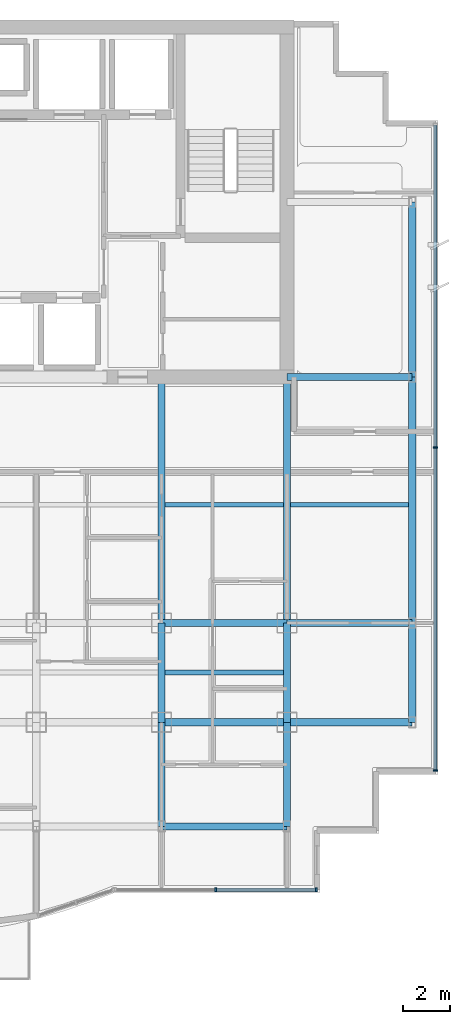
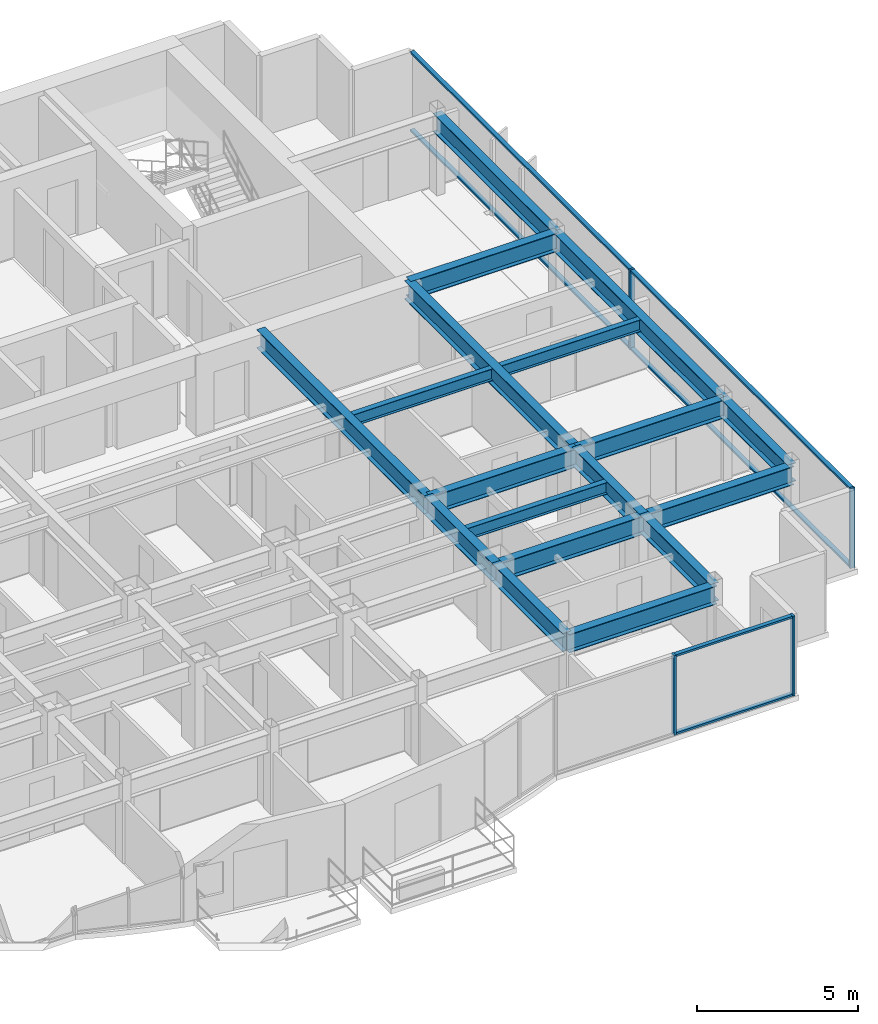
# One storey, part 4 of 13: 18 beams, 10 members, 2 elements without a shape of their own.
"""IFC4 building model written with IfcOpenShell, lengths in metres."""

from ifc_helpers import new_model, si_unit, direction, frame, origin, origin_2d, place, context, subcontext, project, spatial, rectangle, i_section, extrude, source, transform, mapped, material, layer, layer_set, material_profile, profile_set, type_object, element, aggregate, save


model = new_model("IFC4")

# Units and contexts
model_context = context("Model", 3, precision=1e-05, world=origin(), true_north=direction((0.0, 1.0)))
body_context = subcontext(model_context, "Body", "Model", "MODEL_VIEW")
ifc_project = project(units=[si_unit("LENGTHUNIT", "METRE"), si_unit("AREAUNIT", "SQUARE_METRE"), si_unit("VOLUMEUNIT", "CUBIC_METRE"), si_unit("PLANEANGLEUNIT", "RADIAN"), si_unit("MASSUNIT", "GRAM", prefix="KILO")], contexts=[model_context])

# Site, building, storey
site_placement = place(None, origin())
site = spatial("IfcSite", under=ifc_project, at=site_placement, CompositionType="ELEMENT")
building_placement = place(site_placement, origin())
building = spatial("IfcBuilding", under=site, at=building_placement, Name="Qianlan Lanfeng Residences", CompositionType="ELEMENT")
storey_placement = place(building_placement, frame((0.0, 0.0, 182.10009765625)))
storey = spatial("IfcBuildingStorey", under=building, at=storey_placement, Name="L50", CompositionType="ELEMENT", Elevation=182.10009765625)

# Beams
ifc_material_1 = material(Name="Steel SN490B", Category="steel")
ifc_material_profile_1 = material_profile(ifc_material_1, i_section(OverallWidth=0.300048828125, OverallDepth=0.699951171875, WebThickness=0.012939453125, FlangeThickness=0.02392578125, at=origin_2d()), Name="H 700x300x13x24")
ifc_profile_set_1 = profile_set([ifc_material_profile_1], Name="Steel SN490B")
beam_type_1 = type_object("IfcBeamType", Name="G-750", PredefinedType="BEAM", material=ifc_profile_set_1)
beam_1_placement = place(storey_placement, frame((37.10009765625, 10.60009765625, 2.679931640625), z_axis=(1.0, 0.0, 0.0), x_axis=(0.0, 1.0, 0.0)))
element("IfcBeam", 1, at=beam_1_placement, inside=storey, type_object=beam_type_1, Name="Structural beam G-750", PredefinedType="BEAM", context=body_context, shape_type="SweptSolid", body=[
    extrude(i_section(OverallWidth=0.300048828125, OverallDepth=0.699951171875, WebThickness=0.012939453125, FlangeThickness=0.02392578125, at=origin_2d()), origin(), (0.0, 0.0, 1.0), 5.2998046875),
])
beam_2_placement = place(storey_placement, frame((42.39990234375, 10.60009765625, 2.679931640625), z_axis=(1.0, 0.0, 0.0), x_axis=(0.0, 1.0, 0.0)))
element("IfcBeam", 2, at=beam_2_placement, inside=storey, type_object=beam_type_1, Name="Structural beam G-750", PredefinedType="BEAM", context=body_context, shape_type="SweptSolid", body=[
    extrude(i_section(OverallWidth=0.300048828125, OverallDepth=0.699951171875, WebThickness=0.012939453125, FlangeThickness=0.02392578125, at=origin_2d()), origin(), (0.0, 0.0, 1.0), 5.300048828125),
])
beam_3_placement = place(storey_placement, frame((37.10009765625, 14.800048828125, 2.679931640625), z_axis=(1.0, 0.0, 0.0), x_axis=(0.0, 1.0, 0.0)))
element("IfcBeam", 3, at=beam_3_placement, inside=storey, type_object=beam_type_1, Name="Structural beam G-750", PredefinedType="BEAM", context=body_context, shape_type="SweptSolid", body=[
    extrude(i_section(OverallWidth=0.300048828125, OverallDepth=0.699951171875, WebThickness=0.012939453125, FlangeThickness=0.02392578125, at=origin_2d()), origin(), (0.0, 0.0, 1.0), 5.2998046875),
])
for number, where, z_axis, x_axis, name in (
    (4, (42.39990234375, 14.800048828125, 2.679931640625), (1.0, 0.0, 0.0), (0.0, 1.0, 0.0), "Structural beam G-750"),
    (5, (42.39990234375, 25.199951171875, 2.679931640625), (1.0, 0.0, 0.0), (0.0, 1.0, 0.0), "Structural beam G-750"),
):
    element("IfcBeam", number, at=place(storey_placement, frame(where, z_axis=z_axis, x_axis=x_axis)), inside=storey, type_object=beam_type_1, Name=name, PredefinedType="BEAM", context=body_context, shape_type="SweptSolid", body=[
        extrude(i_section(OverallWidth=0.300048828125, OverallDepth=0.699951171875, WebThickness=0.012939453125, FlangeThickness=0.02392578125, at=origin_2d()), origin(), (0.0, 0.0, 1.0), 5.300048828125),
    ])
beam_4_placement = place(storey_placement, frame((37.10009765625, 6.199951171875, 2.679931640625), z_axis=(0.0, 1.0, 0.0), x_axis=(-1.0, 0.0, 0.0)))
element("IfcBeam", 6, at=beam_4_placement, inside=storey, type_object=beam_type_1, Name="Structural beam G-750", PredefinedType="BEAM", context=body_context, shape_type="SweptSolid", body=[
    extrude(i_section(OverallWidth=0.300048828125, OverallDepth=0.699951171875, WebThickness=0.012939453125, FlangeThickness=0.02392578125, at=origin_2d()), origin(), (0.0, 0.0, 1.0), 4.400146484375),
])
beam_5_placement = place(storey_placement, frame((37.10009765625, 10.60009765625, 2.679931640625), z_axis=(0.0, 1.0, 0.0), x_axis=(-1.0, 0.0, 0.0)))
element("IfcBeam", 7, at=beam_5_placement, inside=storey, type_object=beam_type_1, Name="Structural beam G-750", PredefinedType="BEAM", context=body_context, shape_type="SweptSolid", body=[
    extrude(i_section(OverallWidth=0.300048828125, OverallDepth=0.699951171875, WebThickness=0.012939453125, FlangeThickness=0.02392578125, at=origin_2d()), origin(), (0.0, 0.0, 1.0), 4.199951171875),
])
beam_6_placement = place(storey_placement, frame((37.10009765625, 14.800048828125, 2.679931640625), z_axis=(0.0, 1.0, 0.0), x_axis=(-1.0, 0.0, 0.0)))
element("IfcBeam", 8, at=beam_6_placement, inside=storey, type_object=beam_type_1, Name="Structural beam G-750", PredefinedType="BEAM", context=body_context, shape_type="SweptSolid", body=[
    extrude(i_section(OverallWidth=0.300048828125, OverallDepth=0.699951171875, WebThickness=0.012939453125, FlangeThickness=0.02392578125, at=origin_2d()), origin(), (0.0, 0.0, 1.0), 10.39990234375),
])
beam_7_placement = place(storey_placement, frame((42.39990234375, 6.199951171875, 2.679931640625), z_axis=(0.0, 1.0, 0.0), x_axis=(-1.0, 0.0, 0.0)))
element("IfcBeam", 9, at=beam_7_placement, inside=storey, type_object=beam_type_1, Name="Structural beam G-750", PredefinedType="BEAM", context=body_context, shape_type="SweptSolid", body=[
    extrude(i_section(OverallWidth=0.300048828125, OverallDepth=0.699951171875, WebThickness=0.012939453125, FlangeThickness=0.02392578125, at=origin_2d()), origin(), (0.0, 0.0, 1.0), 4.400146484375),
])
beam_8_placement = place(storey_placement, frame((42.39990234375, 10.60009765625, 2.679931640625), z_axis=(0.0, 1.0, 0.0), x_axis=(-1.0, 0.0, 0.0)))
element("IfcBeam", 10, at=beam_8_placement, inside=storey, type_object=beam_type_1, Name="Structural beam G-750", PredefinedType="BEAM", context=body_context, shape_type="SweptSolid", body=[
    extrude(i_section(OverallWidth=0.300048828125, OverallDepth=0.699951171875, WebThickness=0.012939453125, FlangeThickness=0.02392578125, at=origin_2d()), origin(), (0.0, 0.0, 1.0), 4.199951171875),
])
beam_9_placement = place(storey_placement, frame((42.39990234375, 14.800048828125, 2.679931640625), z_axis=(0.0, 1.0, 0.0), x_axis=(-1.0, 0.0, 0.0)))
element("IfcBeam", 11, at=beam_9_placement, inside=storey, type_object=beam_type_1, Name="Structural beam G-750", PredefinedType="BEAM", context=body_context, shape_type="SweptSolid", body=[
    extrude(i_section(OverallWidth=0.300048828125, OverallDepth=0.699951171875, WebThickness=0.012939453125, FlangeThickness=0.02392578125, at=origin_2d()), origin(), (0.0, 0.0, 1.0), 10.39990234375),
])
ifc_material_profile_2 = material_profile(ifc_material_1, i_section(OverallWidth=0.199951171875, OverallDepth=0.449951171875, WebThickness=0.009033203125, FlangeThickness=0.013916015625, at=origin_2d()), Name="H 450x200x9x14")
ifc_profile_set_2 = profile_set([ifc_material_profile_2], Name="Steel SN490B")
beam_type_2 = type_object("IfcBeamType", Name="J-450", PredefinedType="JOIST", material=ifc_profile_set_2)
for number, where, z_axis, x_axis, name in (
    (12, (37.25, 12.699951171875, 2.804931640625), (1.0, 0.0, 0.0), (0.0, 1.0, 0.0), "Structural beam J-450"),
    (13, (37.25, 19.800048828125, 2.804931640625), (1.0, 0.0, 0.0), (0.0, 1.0, 0.0), "Structural beam J-450"),
    (14, (42.550048828125, 19.800048828125, 2.804931640625), (1.0, 0.0, 0.0), (0.0, 1.0, 0.0), "Structural beam J-450"),
):
    element("IfcBeam", number, at=place(storey_placement, frame(where, z_axis=z_axis, x_axis=x_axis)), inside=storey, type_object=beam_type_2, Name=name, PredefinedType="JOIST", context=body_context, shape_type="SweptSolid", body=[
        extrude(i_section(OverallWidth=0.199951171875, OverallDepth=0.449951171875, WebThickness=0.009033203125, FlangeThickness=0.013916015625, at=origin_2d()), origin(), (0.0, 0.0, 1.0), 5.0),
    ])
ifc_material_profile_3 = material_profile(ifc_material_1, i_section(OverallWidth=0.300048828125, OverallDepth=0.699951171875, WebThickness=0.012939453125, FlangeThickness=0.02392578125, at=origin_2d()), Name="H 700x300x13x24")
ifc_profile_set_3 = profile_set([ifc_material_profile_3], Name="Steel SN490B")
beam_type_3 = type_object("IfcBeamType", Name="SG-750", PredefinedType="SPANDREL", material=ifc_profile_set_3)
beam_10_placement = place(storey_placement, frame((37.10009765625, 6.199951171875, 2.679931640625), z_axis=(1.0, 0.0, 0.0), x_axis=(0.0, 1.0, 0.0)))
element("IfcBeam", 15, at=beam_10_placement, inside=storey, type_object=beam_type_3, Name="Structural beam SG-750", PredefinedType="SPANDREL", context=body_context, shape_type="SweptSolid", body=[
    extrude(i_section(OverallWidth=0.300048828125, OverallDepth=0.699951171875, WebThickness=0.012939453125, FlangeThickness=0.02392578125, at=origin_2d()), origin(), (0.0, 0.0, 1.0), 5.2998046875),
])
beam_11_placement = place(storey_placement, frame((47.699951171875, 10.60009765625, 2.679931640625), z_axis=(0.0, 1.0, 0.0), x_axis=(-1.0, 0.0, 0.0)))
element("IfcBeam", 16, at=beam_11_placement, inside=storey, type_object=beam_type_3, Name="Structural beam SG-750", PredefinedType="SPANDREL", context=body_context, shape_type="SweptSolid", body=[
    extrude(i_section(OverallWidth=0.300048828125, OverallDepth=0.699951171875, WebThickness=0.012939453125, FlangeThickness=0.02392578125, at=origin_2d()), origin(), (0.0, 0.0, 1.0), 4.199951171875),
])
beam_12_placement = place(storey_placement, frame((47.699951171875, 14.800048828125, 2.679931640625), z_axis=(0.0, 1.0, 0.0), x_axis=(-1.0, 0.0, 0.0)))
element("IfcBeam", 17, at=beam_12_placement, inside=storey, type_object=beam_type_3, Name="Structural beam SG-750", PredefinedType="SPANDREL", context=body_context, shape_type="SweptSolid", body=[
    extrude(i_section(OverallWidth=0.300048828125, OverallDepth=0.699951171875, WebThickness=0.012939453125, FlangeThickness=0.02392578125, at=origin_2d()), origin(), (0.0, 0.0, 1.0), 10.39990234375),
])
beam_13_placement = place(storey_placement, frame((47.699951171875, 25.199951171875, 2.679931640625), z_axis=(0.0, 1.0, 0.0), x_axis=(-1.0, 0.0, 0.0)))
element("IfcBeam", 18, at=beam_13_placement, inside=storey, type_object=beam_type_3, Name="Structural beam SG-750", PredefinedType="SPANDREL", context=body_context, shape_type="SweptSolid", body=[
    extrude(i_section(OverallWidth=0.300048828125, OverallDepth=0.699951171875, WebThickness=0.012939453125, FlangeThickness=0.02392578125, at=origin_2d()), origin(), (0.0, 0.0, 1.0), 7.400146484375),
])

# Curtain wall, members
ifc_material_2 = material(Name="Anodised Bronze Aluminium 6063-T6", Category="aluminium")
ifc_layer = layer(ifc_material_2, 0.219970703125)
ifc_layer_set = layer_set([ifc_layer], Name="Anodised Bronze Aluminium 6063-T6")
curtain_wall_type = type_object("IfcCurtainWallType", Name="CW-04", PredefinedType="NOTDEFINED", material=ifc_layer_set)
curtain_wall_1_placement = place(storey_placement, origin())
curtain_wall_1 = element("IfcCurtainWall", 19, at=curtain_wall_1_placement, inside=storey, type_object=curtain_wall_type, Name="L50 Unitised Curtain Wall CWR-L50-04 (CW-04)", PredefinedType="NOTDEFINED")
ifc_material_profile_4 = material_profile(ifc_material_2, rectangle(XDim=0.074951171875, YDim=0.14990234375, at=origin_2d()), Name="ALU TRANSOM 75x150")
ifc_profile_set_4 = profile_set([ifc_material_profile_4], Name="Anodised Bronze Aluminium 6063-T6")
member_type_1 = type_object("IfcMemberType", Name="CWT-150", PredefinedType="USERDEFINED", material=ifc_profile_set_4)
shared_shape_1 = source(origin(), body_context, "Body", "SweptSolid", [
    extrude(rectangle(XDim=0.074951171875, YDim=0.14990234375, at=origin_2d()), origin(), (0.0, 0.0, 1.0), 4.178955078125),
])
member_1_placement = place(storey_placement, frame((39.426025390625, 3.52001953125, 0.037353515625), z_axis=(1.0, 0.0, 0.0), x_axis=(0.0, 0.0, 1.0)))
member_1 = element("IfcMember", 20, at=member_1_placement, type_object=member_type_1, Name="CWR-L50-04 Transom 2-BOT", ObjectType="TRANSOM", PredefinedType="USERDEFINED", context=body_context, shape_type="MappedRepresentation", body=[
    mapped(shared_shape_1, transform((0.0, 0.0, 0.0), scale=1.0)),
])
member_2_placement = place(storey_placement, frame((39.426025390625, 3.52001953125, 2.992431640625), z_axis=(1.0, 0.0, 0.0), x_axis=(0.0, 0.0, 1.0)))
member_2 = element("IfcMember", 21, at=member_2_placement, type_object=member_type_1, Name="CWR-L50-04 Transom 2-TOP", ObjectType="TRANSOM", PredefinedType="USERDEFINED", context=body_context, shape_type="MappedRepresentation", body=[
    mapped(shared_shape_1, transform((0.0, 0.0, 0.0), scale=1.0)),
])

curtain_wall_2_placement = place(storey_placement, origin())
curtain_wall_2 = element("IfcCurtainWall", 22, at=curtain_wall_2_placement, inside=storey, type_object=curtain_wall_type, Name="L50 Unitised Curtain Wall CWR-L50-05 (CW-04)", PredefinedType="NOTDEFINED")
shared_shape_2 = source(origin(), body_context, "Body", "SweptSolid", [
    extrude(rectangle(XDim=0.074951171875, YDim=0.14990234375, at=origin_2d()), origin(), (0.0, 0.0, 1.0), 13.592529296875),
])
member_3_placement = place(storey_placement, frame((48.679931640625, 8.594970703125, 0.037353515625), z_axis=(0.0, 1.0, 0.0), x_axis=(0.0, 0.0, 1.0)))
member_3 = element("IfcMember", 23, at=member_3_placement, type_object=member_type_1, Name="CWR-L50-05 Transom 1-BOT", ObjectType="TRANSOM", PredefinedType="USERDEFINED", context=body_context, shape_type="MappedRepresentation", body=[
    mapped(shared_shape_2, transform((0.0, 0.0, 0.0), scale=1.0)),
])
member_4_placement = place(storey_placement, frame((48.679931640625, 8.594970703125, 2.992431640625), z_axis=(0.0, 1.0, 0.0), x_axis=(0.0, 0.0, 1.0)))
member_4 = element("IfcMember", 24, at=member_4_placement, type_object=member_type_1, Name="CWR-L50-05 Transom 1-TOP", ObjectType="TRANSOM", PredefinedType="USERDEFINED", context=body_context, shape_type="MappedRepresentation", body=[
    mapped(shared_shape_2, transform((0.0, 0.0, 0.0), scale=1.0)),
])
member_5_placement = place(storey_placement, frame((48.679931640625, 22.262451171875, 0.037353515625), z_axis=(0.0, 1.0, 0.0), x_axis=(0.0, 0.0, 1.0)))
member_5 = element("IfcMember", 25, at=member_5_placement, type_object=member_type_1, Name="CWR-L50-05 Transom 2-BOT", ObjectType="TRANSOM", PredefinedType="USERDEFINED", context=body_context, shape_type="MappedRepresentation", body=[
    mapped(shared_shape_2, transform((0.0, 0.0, 0.0), scale=1.0)),
])
member_6_placement = place(storey_placement, frame((48.679931640625, 22.262451171875, 2.992431640625), z_axis=(0.0, 1.0, 0.0), x_axis=(0.0, 0.0, 1.0)))
member_6 = element("IfcMember", 26, at=member_6_placement, type_object=member_type_1, Name="CWR-L50-05 Transom 2-TOP", ObjectType="TRANSOM", PredefinedType="USERDEFINED", context=body_context, shape_type="MappedRepresentation", body=[
    mapped(shared_shape_2, transform((0.0, 0.0, 0.0), scale=1.0)),
])

# Member
ifc_material_profile_5 = material_profile(ifc_material_2, rectangle(XDim=0.074951171875, YDim=0.179931640625, at=origin_2d()), Name="ALU MULLION 75x180")
ifc_profile_set_5 = profile_set([ifc_material_profile_5], Name="Anodised Bronze Aluminium 6063-T6")
member_type_2 = type_object("IfcMemberType", Name="CWM-180", PredefinedType="MULLION", material=ifc_profile_set_5)
shared_shape_3 = source(origin(), body_context, "Body", "SweptSolid", [
    extrude(rectangle(XDim=0.074951171875, YDim=0.179931640625, at=origin_2d()), origin(), (0.0, 0.0, 1.0), 3.02978515625),
])
member_7_placement = place(storey_placement, frame((39.388427734375, 3.52001953125, 0.0), z_axis=(0.0, 0.0, 1.0), x_axis=(1.0, 0.0, 0.0)))
member_7 = element("IfcMember", 27, at=member_7_placement, type_object=member_type_2, Name="CWR-L50-04 Mullion 2", PredefinedType="MULLION", context=body_context, shape_type="MappedRepresentation", body=[
    mapped(shared_shape_3, transform((0.0, 0.0, 0.0), scale=1.0)),
])

member_8_placement = place(storey_placement, frame((43.642578125, 3.52001953125, 0.0), z_axis=(0.0, 0.0, 1.0), x_axis=(1.0, 0.0, 0.0)))
member_8 = element("IfcMember", 28, at=member_8_placement, type_object=member_type_2, Name="CWR-L50-04 Mullion 3", PredefinedType="MULLION", context=body_context, shape_type="MappedRepresentation", body=[
    mapped(shared_shape_3, transform((0.0, 0.0, 0.0), scale=1.0)),
])

aggregate(curtain_wall_1, [member_7, member_8, member_1, member_2])

member_9_placement = place(storey_placement, frame((48.679931640625, 8.5576171875, 0.0), z_axis=(0.0, 0.0, 1.0), x_axis=(0.0, 1.0, 0.0)))
member_9 = element("IfcMember", 29, at=member_9_placement, type_object=member_type_2, Name="CWR-L50-05 Mullion 1", PredefinedType="MULLION", context=body_context, shape_type="MappedRepresentation", body=[
    mapped(shared_shape_3, transform((0.0, 0.0, 0.0), scale=1.0)),
])

member_10_placement = place(storey_placement, frame((48.679931640625, 22.22509765625, 0.0), z_axis=(0.0, 0.0, 1.0), x_axis=(0.0, 1.0, 0.0)))
member_10 = element("IfcMember", 30, at=member_10_placement, type_object=member_type_2, Name="CWR-L50-05 Mullion 2", PredefinedType="MULLION", context=body_context, shape_type="MappedRepresentation", body=[
    mapped(shared_shape_3, transform((0.0, 0.0, 0.0), scale=1.0)),
])

aggregate(curtain_wall_2, [member_9, member_10, member_3, member_4, member_5, member_6])

save(model, "model.ifc")
